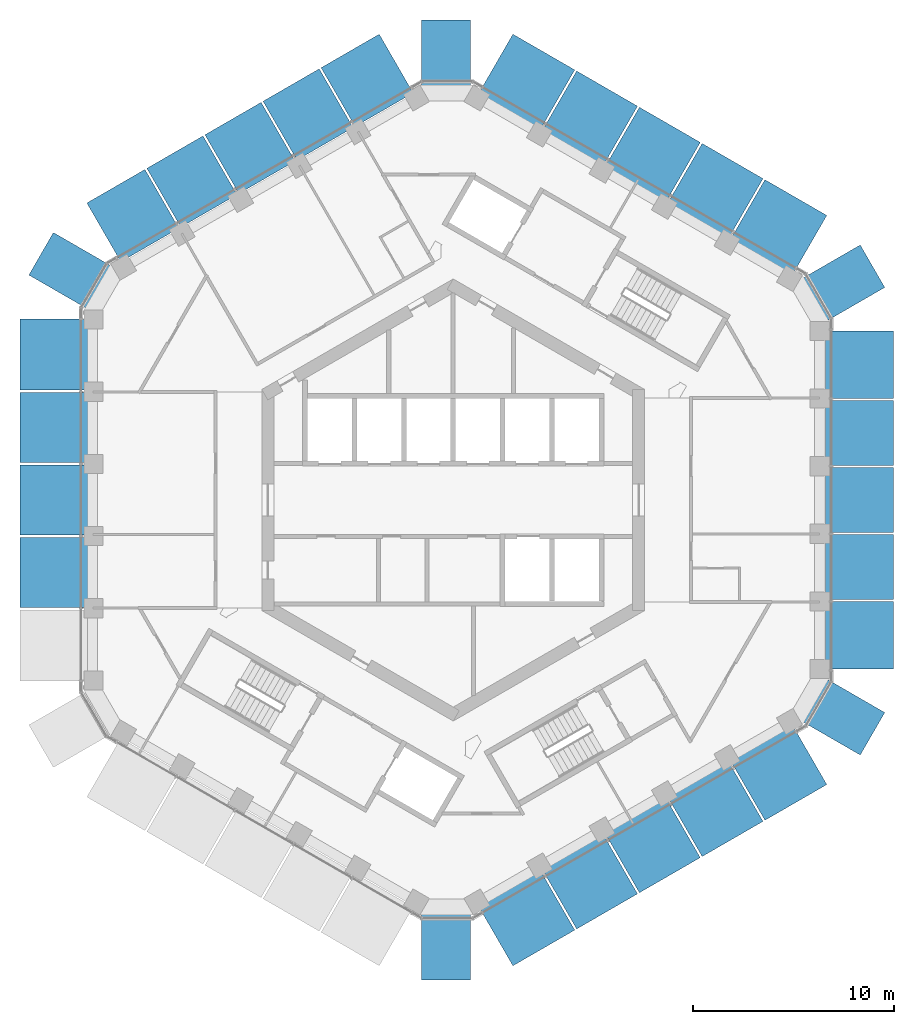
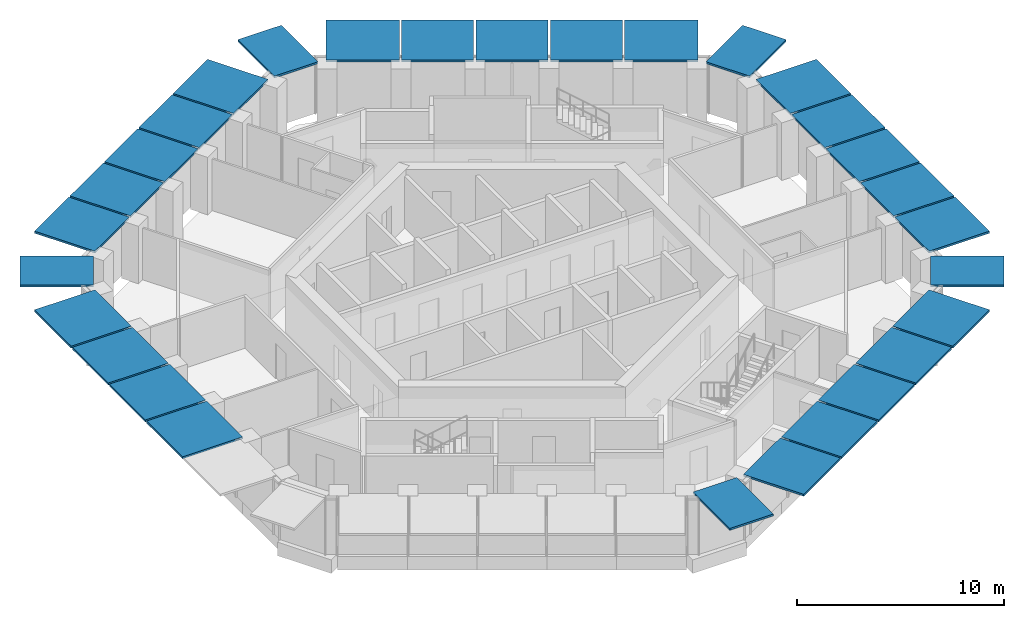
# One storey, part 16 of 18: 29 discrete accessories.
"""IFC4 building model written with IfcOpenShell, lengths in metres."""

from ifc_helpers import new_model, si_unit, direction, frame, origin, origin_2d, place, context, subcontext, project, spatial, rectangle, extrude, material, layer, layer_set, type_object, element, save


model = new_model("IFC4")

# Units and contexts
model_context = context("Model", 3, precision=1e-05, world=origin(), true_north=direction((0.0, 1.0)))
body_context = subcontext(model_context, "Body", "Model", "MODEL_VIEW")
ifc_project = project(units=[si_unit("LENGTHUNIT", "METRE"), si_unit("AREAUNIT", "SQUARE_METRE"), si_unit("VOLUMEUNIT", "CUBIC_METRE"), si_unit("PLANEANGLEUNIT", "RADIAN"), si_unit("MASSUNIT", "GRAM", prefix="KILO")], contexts=[model_context])

# Site, building, storey
site_placement = place(None, origin())
site = spatial("IfcSite", under=ifc_project, at=site_placement, CompositionType="ELEMENT")
building_placement = place(site_placement, origin())
building = spatial("IfcBuilding", under=site, at=building_placement, Name="Ayvan Gate Tower", CompositionType="ELEMENT")
storey_placement = place(building_placement, frame((0.0, 0.0, 169.699951171875)))
storey = spatial("IfcBuildingStorey", under=building, at=storey_placement, Name="L45", CompositionType="ELEMENT", Elevation=169.699951171875)

# Discrete accessories
ifc_material = material(Name="Stainless steel 316", Category="steel")
ifc_layer = layer(ifc_material, 0.1201171875)
ifc_layer_set = layer_set([ifc_layer], Name="Stainless steel 316")
discrete_accessory_type = type_object("IfcDiscreteAccessoryType", Name="Fin carrier bracket", PredefinedType="BRACKET", material=ifc_layer_set)
discrete_accessory_1_placement = place(storey_placement, frame((-19.8154296875, -3.59619140625, 3.280029296875), z_axis=(0.0, 0.0, 1.0), x_axis=(0.0, -1.0, 0.0)))
element("IfcDiscreteAccessory", 1, at=discrete_accessory_1_placement, inside=storey, type_object=discrete_accessory_type, Name="Fin carrier 106", PredefinedType="BRACKET", context=body_context, shape_type="SweptSolid", body=[
    extrude(rectangle(XDim=3.487060546875, YDim=3.369873046875, at=origin_2d()), origin(), (0.0, 0.0, 1.0), 0.1201171875),
])
for number, where, z_axis, x_axis, name in (
    (2, (-19.8154296875, 0.000244140625, 3.280029296875), (0.0, 0.0, 1.0), (0.0, -1.0, 0.0), "Fin carrier 110"),
    (3, (-19.8154296875, 3.59619140625, 3.280029296875), (0.0, 0.0, 1.0), (0.0, -1.0, 0.0), "Fin carrier 114"),
):
    element("IfcDiscreteAccessory", number, at=place(storey_placement, frame(where, z_axis=z_axis, x_axis=x_axis)), inside=storey, type_object=discrete_accessory_type, Name=name, PredefinedType="BRACKET", context=body_context, shape_type="SweptSolid", body=[
        extrude(rectangle(XDim=3.486083984375, YDim=3.369873046875, at=origin_2d()), origin(), (0.0, 0.0, 1.0), 0.1201171875),
    ])
discrete_accessory_2_placement = place(storey_placement, frame((-19.8154296875, 7.2216796875, 3.280029296875), z_axis=(0.0, 0.0, 1.0), x_axis=(0.0, -1.0, 0.0)))
element("IfcDiscreteAccessory", 4, at=discrete_accessory_2_placement, inside=storey, type_object=discrete_accessory_type, Name="Fin carrier 118", PredefinedType="BRACKET", context=body_context, shape_type="SweptSolid", body=[
    extrude(rectangle(XDim=3.544921875, YDim=3.369873046875, at=origin_2d()), origin(), (0.0, 0.0, 1.0), 0.1201171875),
])
discrete_accessory_3_placement = place(storey_placement, frame((-18.91259765625, 11.330322265625, 3.280029296875), z_axis=(0.0, 0.0, 1.0), x_axis=(-0.5, -0.866025403784, 0.0)))
element("IfcDiscreteAccessory", 5, at=discrete_accessory_3_placement, inside=storey, type_object=discrete_accessory_type, Name="Fin carrier 130", PredefinedType="BRACKET", context=body_context, shape_type="SweptSolid", body=[
    extrude(rectangle(XDim=2.4345703125, YDim=3.55517578125, at=origin_2d()), origin(), (0.0, 0.0, 1.0), 0.1201171875),
])
discrete_accessory_4_placement = place(storey_placement, frame((-15.8994140625, 14.112548828125, 3.280029296875), z_axis=(0.0, 0.0, 1.0), x_axis=(-0.866025403784, -0.5, 0.0)))
element("IfcDiscreteAccessory", 6, at=discrete_accessory_4_placement, inside=storey, type_object=discrete_accessory_type, Name="Fin carrier 246", PredefinedType="BRACKET", context=body_context, shape_type="SweptSolid", body=[
    extrude(rectangle(XDim=3.328857421875, YDim=3.369873046875, at=origin_2d()), origin(), (0.0, 0.0, 1.0), 0.1201171875),
])
for number, where, z_axis, x_axis, name in (
    (7, (-12.96875, 15.804443359375, 3.280029296875), (0.0, 0.0, 1.0), (-0.866025403784, -0.5, 0.0), "Fin carrier 286"),
    (8, (-10.085693359375, 17.468994140625, 3.280029296875), (0.0, 0.0, 1.0), (-0.866025403784, -0.5, 0.0), "Fin carrier 352"),
    (9, (-7.20263671875, 19.133544921875, 3.280029296875), (0.0, 0.0, 1.0), (-0.866025403784, -0.5, 0.0), "Fin carrier 416"),
):
    element("IfcDiscreteAccessory", number, at=place(storey_placement, frame(where, z_axis=z_axis, x_axis=x_axis)), inside=storey, type_object=discrete_accessory_type, Name=name, PredefinedType="BRACKET", context=body_context, shape_type="SweptSolid", body=[
        extrude(rectangle(XDim=3.218994140625, YDim=3.369873046875, at=origin_2d()), origin(), (0.0, 0.0, 1.0), 0.1201171875),
    ])
discrete_accessory_5_placement = place(storey_placement, frame((-4.272216796875, 20.825439453125, 3.280029296875), z_axis=(0.0, 0.0, 1.0), x_axis=(-0.866025403784, -0.5, 0.0)))
element("IfcDiscreteAccessory", 10, at=discrete_accessory_5_placement, inside=storey, type_object=discrete_accessory_type, Name="Fin carrier 474", PredefinedType="BRACKET", context=body_context, shape_type="SweptSolid", body=[
    extrude(rectangle(XDim=3.3291015625, YDim=3.369873046875, at=origin_2d()), origin(), (0.0, 0.0, 1.0), 0.1201171875),
])
for number, where, z_axis, x_axis, name in (
    (11, (-0.356201171875, -22.0439453125, 3.280029296875), (0.0, 0.0, 1.0), (1.0, 0.0, 0.0), "Fin carrier 517"),
    (12, (-0.356201171875, 22.0439453125, 3.280029296875), (0.0, 0.0, 1.0), (-1.0, 0.0, 0.0), "Fin carrier 518"),
):
    element("IfcDiscreteAccessory", number, at=place(storey_placement, frame(where, z_axis=z_axis, x_axis=x_axis)), inside=storey, type_object=discrete_accessory_type, Name=name, PredefinedType="BRACKET", context=body_context, shape_type="SweptSolid", body=[
        extrude(rectangle(XDim=2.4345703125, YDim=3.55517578125, at=origin_2d()), origin(), (0.0, 0.0, 1.0), 0.1201171875),
    ])
discrete_accessory_6_placement = place(storey_placement, frame((3.653564453125, -20.771484375, 3.280029296875), z_axis=(0.0, 0.0, 1.0), x_axis=(0.866025403784, 0.5, 0.0)))
element("IfcDiscreteAccessory", 13, at=discrete_accessory_6_placement, inside=storey, type_object=discrete_accessory_type, Name="Fin carrier 574", PredefinedType="BRACKET", context=body_context, shape_type="SweptSolid", body=[
    extrude(rectangle(XDim=3.544921875, YDim=3.369873046875, at=origin_2d()), origin(), (0.0, 0.0, 1.0), 0.1201171875),
])
discrete_accessory_7_placement = place(storey_placement, frame((3.6533203125, 20.771484375, 3.280029296875), z_axis=(0.0, 0.0, 1.0), x_axis=(-0.866025403784, 0.5, 0.0)))
element("IfcDiscreteAccessory", 14, at=discrete_accessory_7_placement, inside=storey, type_object=discrete_accessory_type, Name="Fin carrier 581", PredefinedType="BRACKET", context=body_context, shape_type="SweptSolid", body=[
    extrude(rectangle(XDim=3.54443359375, YDim=3.369873046875, at=origin_2d()), origin(), (0.0, 0.0, 1.0), 0.1201171875),
])
discrete_accessory_8_placement = place(storey_placement, frame((6.793212890625, -18.958740234375, 3.280029296875), z_axis=(0.0, 0.0, 1.0), x_axis=(0.866025403784, 0.5, 0.0)))
element("IfcDiscreteAccessory", 15, at=discrete_accessory_8_placement, inside=storey, type_object=discrete_accessory_type, Name="Fin carrier 625", PredefinedType="BRACKET", context=body_context, shape_type="SweptSolid", body=[
    extrude(rectangle(XDim=3.486083984375, YDim=3.369873046875, at=origin_2d()), origin(), (0.0, 0.0, 1.0), 0.1201171875),
])
discrete_accessory_9_placement = place(storey_placement, frame((6.793212890625, 18.958740234375, 3.280029296875), z_axis=(0.0, 0.0, 1.0), x_axis=(-0.866025403784, 0.5, 0.0)))
element("IfcDiscreteAccessory", 16, at=discrete_accessory_9_placement, inside=storey, type_object=discrete_accessory_type, Name="Fin carrier 633", PredefinedType="BRACKET", context=body_context, shape_type="SweptSolid", body=[
    extrude(rectangle(XDim=3.487060546875, YDim=3.369873046875, at=origin_2d()), origin(), (0.0, 0.0, 1.0), 0.1201171875),
])
for number, where, z_axis, x_axis, name in (
    (17, (9.907470703125, -17.16064453125, 3.280029296875), (0.0, 0.0, 1.0), (0.866025403784, 0.5, 0.0), "Fin carrier 683"),
    (18, (9.907958984375, 17.160400390625, 3.280029296875), (0.0, 0.0, 1.0), (-0.866025403784, 0.5, 0.0), "Fin carrier 691"),
):
    element("IfcDiscreteAccessory", number, at=place(storey_placement, frame(where, z_axis=z_axis, x_axis=x_axis)), inside=storey, type_object=discrete_accessory_type, Name=name, PredefinedType="BRACKET", context=body_context, shape_type="SweptSolid", body=[
        extrude(rectangle(XDim=3.486083984375, YDim=3.369873046875, at=origin_2d()), origin(), (0.0, 0.0, 1.0), 0.1201171875),
    ])
discrete_accessory_10_placement = place(storey_placement, frame((13.022216796875, -15.362548828125, 3.280029296875), z_axis=(0.0, 0.0, 1.0), x_axis=(0.866025403784, 0.5, 0.0)))
element("IfcDiscreteAccessory", 19, at=discrete_accessory_10_placement, inside=storey, type_object=discrete_accessory_type, Name="Fin carrier 751", PredefinedType="BRACKET", context=body_context, shape_type="SweptSolid", body=[
    extrude(rectangle(XDim=3.487060546875, YDim=3.369873046875, at=origin_2d()), origin(), (0.0, 0.0, 1.0), 0.1201171875),
])
discrete_accessory_11_placement = place(storey_placement, frame((13.022216796875, 15.362548828125, 3.280029296875), z_axis=(0.0, 0.0, 1.0), x_axis=(-0.866025403784, 0.5, 0.0)))
element("IfcDiscreteAccessory", 20, at=discrete_accessory_11_placement, inside=storey, type_object=discrete_accessory_type, Name="Fin carrier 753", PredefinedType="BRACKET", context=body_context, shape_type="SweptSolid", body=[
    extrude(rectangle(XDim=3.486083984375, YDim=3.369873046875, at=origin_2d()), origin(), (0.0, 0.0, 1.0), 0.1201171875),
])
discrete_accessory_12_placement = place(storey_placement, frame((16.162109375, -13.549560546875, 3.280029296875), z_axis=(0.0, 0.0, 1.0), x_axis=(0.866025403784, 0.5, 0.0)))
element("IfcDiscreteAccessory", 21, at=discrete_accessory_12_placement, inside=storey, type_object=discrete_accessory_type, Name="Fin carrier 793", PredefinedType="BRACKET", context=body_context, shape_type="SweptSolid", body=[
    extrude(rectangle(XDim=3.54443359375, YDim=3.369873046875, at=origin_2d()), origin(), (0.0, 0.0, 1.0), 0.1201171875),
])
discrete_accessory_13_placement = place(storey_placement, frame((16.161865234375, 13.5498046875, 3.280029296875), z_axis=(0.0, 0.0, 1.0), x_axis=(-0.866025403784, 0.5, 0.0)))
element("IfcDiscreteAccessory", 22, at=discrete_accessory_13_placement, inside=storey, type_object=discrete_accessory_type, Name="Fin carrier 816", PredefinedType="BRACKET", context=body_context, shape_type="SweptSolid", body=[
    extrude(rectangle(XDim=3.544921875, YDim=3.369873046875, at=origin_2d()), origin(), (0.0, 0.0, 1.0), 0.1201171875),
])
for number, where, z_axis, x_axis, name in (
    (23, (19.2685546875, -10.713623046875, 3.280029296875), (0.0, 0.0, 1.0), (0.5, 0.866025403784, 0.0), "Fin carrier 896"),
    (24, (19.2685546875, 10.713623046875, 3.280029296875), (0.0, 0.0, 1.0), (-0.5, 0.866025403784, 0.0), "Fin carrier 903"),
):
    element("IfcDiscreteAccessory", number, at=place(storey_placement, frame(where, z_axis=z_axis, x_axis=x_axis)), inside=storey, type_object=discrete_accessory_type, Name=name, PredefinedType="BRACKET", context=body_context, shape_type="SweptSolid", body=[
        extrude(rectangle(XDim=2.4345703125, YDim=3.55517578125, at=origin_2d()), origin(), (0.0, 0.0, 1.0), 0.1201171875),
    ])
discrete_accessory_14_placement = place(storey_placement, frame((20.17138671875, -6.712890625, 3.280029296875), z_axis=(0.0, 0.0, 1.0), x_axis=(0.0, 1.0, 0.0)))
element("IfcDiscreteAccessory", 25, at=discrete_accessory_14_placement, inside=storey, type_object=discrete_accessory_type, Name="Fin carrier 916", PredefinedType="BRACKET", context=body_context, shape_type="SweptSolid", body=[
    extrude(rectangle(XDim=3.3291015625, YDim=3.369873046875, at=origin_2d()), origin(), (0.0, 0.0, 1.0), 0.1201171875),
])
for number, where, z_axis, x_axis, name in (
    (26, (20.17138671875, -3.3291015625, 3.280029296875), (0.0, 0.0, 1.0), (0.0, 1.0, 0.0), "Fin carrier 923"),
    (27, (20.17138671875, 0.0, 3.280029296875), (0.0, 0.0, 1.0), (0.0, 1.0, 0.0), "Fin carrier 930"),
    (28, (20.17138671875, 3.3291015625, 3.280029296875), (0.0, 0.0, 1.0), (0.0, 1.0, 0.0), "Fin carrier 941"),
):
    element("IfcDiscreteAccessory", number, at=place(storey_placement, frame(where, z_axis=z_axis, x_axis=x_axis)), inside=storey, type_object=discrete_accessory_type, Name=name, PredefinedType="BRACKET", context=body_context, shape_type="SweptSolid", body=[
        extrude(rectangle(XDim=3.218994140625, YDim=3.369873046875, at=origin_2d()), origin(), (0.0, 0.0, 1.0), 0.1201171875),
    ])
discrete_accessory_15_placement = place(storey_placement, frame((20.17138671875, 6.712890625, 3.280029296875), z_axis=(0.0, 0.0, 1.0), x_axis=(0.0, 1.0, 0.0)))
element("IfcDiscreteAccessory", 29, at=discrete_accessory_15_placement, inside=storey, type_object=discrete_accessory_type, Name="Fin carrier 943", PredefinedType="BRACKET", context=body_context, shape_type="SweptSolid", body=[
    extrude(rectangle(XDim=3.328857421875, YDim=3.369873046875, at=origin_2d()), origin(), (0.0, 0.0, 1.0), 0.1201171875),
])

save(model, "model.ifc")
